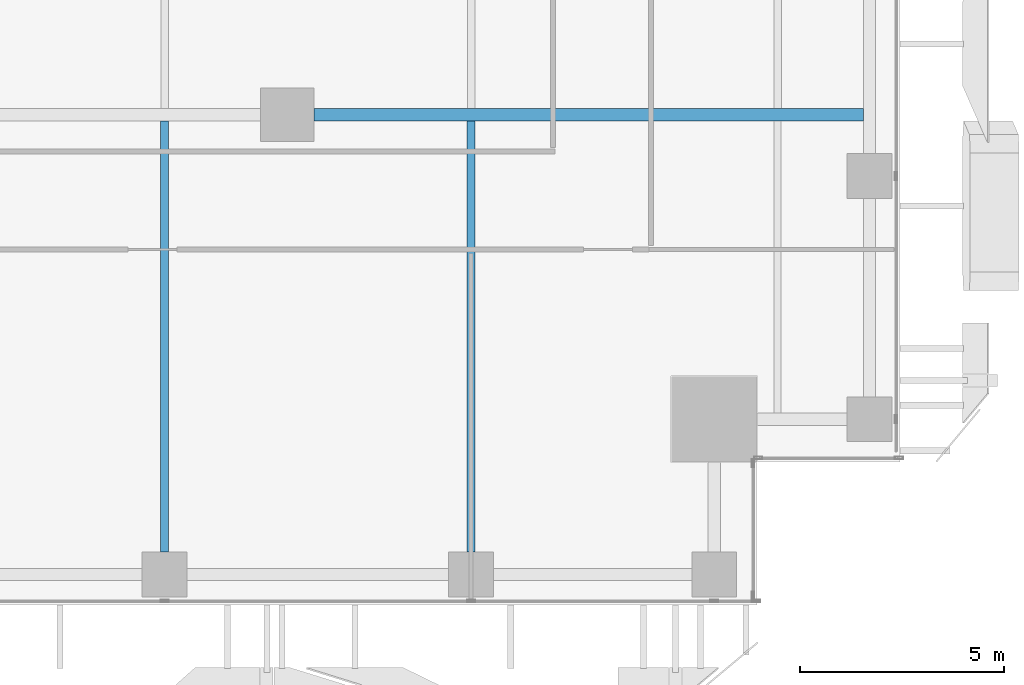
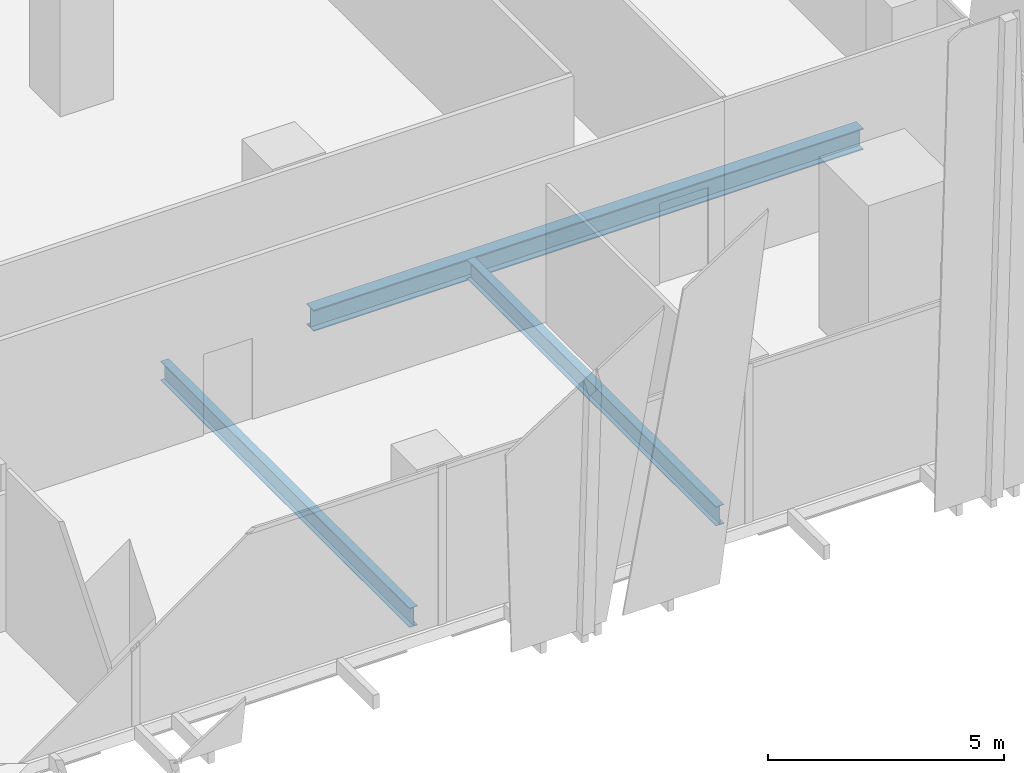
# One storey, part 8 of 34: 3 beams.
"""IFC4 building model written with IfcOpenShell, lengths in metres."""

from ifc_helpers import new_model, si_unit, direction, frame, origin, origin_2d, place, context, subcontext, project, spatial, i_section, extrude, source, transform, mapped, material, material_profile, profile_set, type_object, element, save


model = new_model("IFC4")

# Units and contexts
model_context = context("Model", 3, precision=1e-05, world=origin(), true_north=direction((0.0, 1.0)))
body_context = subcontext(model_context, "Body", "Model", "MODEL_VIEW")
ifc_project = project(units=[si_unit("LENGTHUNIT", "METRE"), si_unit("AREAUNIT", "SQUARE_METRE"), si_unit("VOLUMEUNIT", "CUBIC_METRE"), si_unit("PLANEANGLEUNIT", "RADIAN"), si_unit("MASSUNIT", "GRAM", prefix="KILO")], contexts=[model_context])

# Site, building, storey
site_placement = place(None, origin())
site = spatial("IfcSite", under=ifc_project, at=site_placement, CompositionType="ELEMENT")
building_placement = place(site_placement, origin())
building = spatial("IfcBuilding", under=site, at=building_placement, Name="Khomas Fold Tower", CompositionType="ELEMENT")
storey_placement = place(building_placement, frame((0.0, 0.0, 114.699951171875)))
storey = spatial("IfcBuildingStorey", under=building, at=storey_placement, Name="L24", CompositionType="ELEMENT", Elevation=114.699951171875)

# Beams
ifc_material_1 = material(Name="Steel S355", Category="steel")
ifc_material_profile_1 = material_profile(ifc_material_1, i_section(OverallWidth=0.300048828125, OverallDepth=0.550048828125, WebThickness=0.014892578125, FlangeThickness=0.029052734375, at=origin_2d()), Name="HE 550 B")
ifc_profile_set_1 = profile_set([ifc_material_profile_1], Name="Steel S355")
beam_type_1 = type_object("IfcBeamType", Name="HE 550 B beam GB4", PredefinedType="BEAM", material=ifc_profile_set_1)
shared_shape_1 = source(origin(), body_context, "Body", "SweptSolid", [
    extrude(i_section(OverallWidth=0.300048828125, OverallDepth=0.550048828125, WebThickness=0.014892578125, FlangeThickness=0.029052734375, at=origin_2d()), origin(), (0.0, 0.0, 1.0), 13.4501953125),
])
beam_placement = place(storey_placement, frame((38.14990234375, 13.5, -0.574951171875), z_axis=(1.0, 0.0, 0.0), x_axis=(0.0, 1.0, 0.0)))
element("IfcBeam", 1, at=beam_placement, inside=storey, type_object=beam_type_1, Name="GB4", PredefinedType="BEAM", context=body_context, shape_type="MappedRepresentation", body=[
    mapped(shared_shape_1, transform((0.0, 0.0, 0.0))),
])
ifc_material_2 = material(Name="Steel S355", Category="steel")
ifc_material_profile_2 = material_profile(ifc_material_2, i_section(OverallWidth=0.199951171875, OverallDepth=0.5, WebThickness=0.01025390625, FlangeThickness=0.01611328125, at=origin_2d()), Name="IPE 500")
ifc_profile_set_2 = profile_set([ifc_material_profile_2], Name="Steel S355")
beam_type_2 = type_object("IfcBeamType", Name="IPE 500 beam JB5", PredefinedType="BEAM", material=ifc_profile_set_2)
shared_shape_2 = source(origin(), body_context, "Body", "SweptSolid", [
    extrude(i_section(OverallWidth=0.199951171875, OverallDepth=0.5, WebThickness=0.01025390625, FlangeThickness=0.01611328125, at=origin_2d()), origin(), (0.0, 0.0, 1.0), 10.550048828125),
])
for number, where, z_axis, x_axis, name in (
    (2, (34.5, 2.800048828125, -0.550048828125), (0.0, 1.0, 0.0), (-1.0, 0.0, 0.0), "JB5"),
    (3, (42.0, 2.800048828125, -0.550048828125), (0.0, 1.0, 0.0), (-1.0, 0.0, 0.0), "JB5"),
):
    element("IfcBeam", number, at=place(storey_placement, frame(where, z_axis=z_axis, x_axis=x_axis)), inside=storey, type_object=beam_type_2, Name=name, PredefinedType="BEAM", context=body_context, shape_type="MappedRepresentation", body=[
        mapped(shared_shape_2, transform((0.0, 0.0, 0.0))),
    ])

save(model, "model.ifc")
